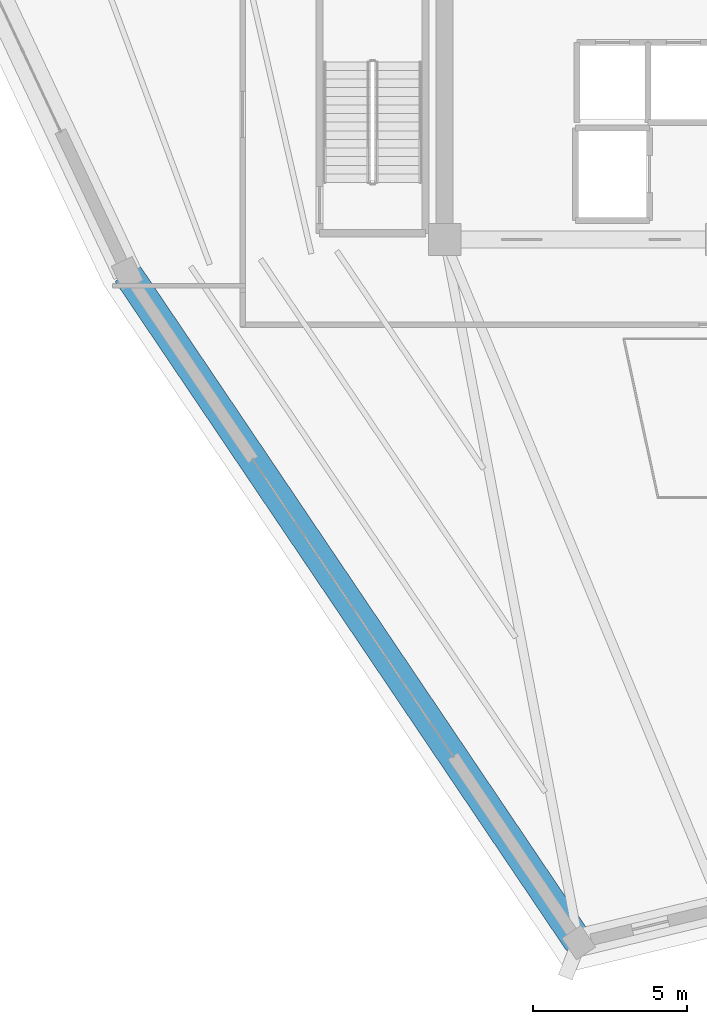
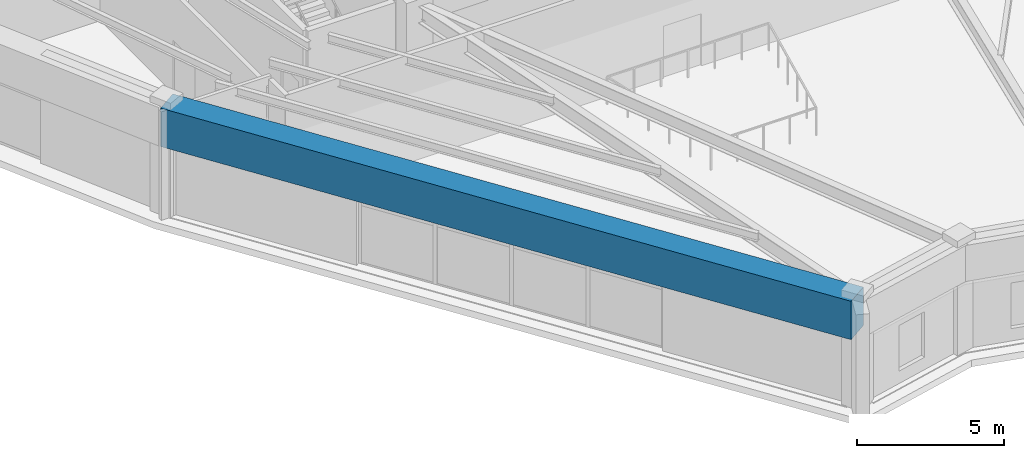
# One storey, part 5 of 40: 1 beam.
"""IFC4 building model written with IfcOpenShell, lengths in metres."""

from ifc_helpers import new_model, si_unit, direction, frame, origin, origin_2d, place, context, subcontext, project, spatial, rectangle, extrude, source, transform, mapped, material, material_profile, profile_set, type_object, element, save


model = new_model("IFC4")

# Units and contexts
model_context = context("Model", 3, precision=1e-05, world=origin(), true_north=direction((0.0, 1.0)))
body_context = subcontext(model_context, "Body", "Model", "MODEL_VIEW")
ifc_project = project(units=[si_unit("LENGTHUNIT", "METRE"), si_unit("AREAUNIT", "SQUARE_METRE"), si_unit("VOLUMEUNIT", "CUBIC_METRE"), si_unit("PLANEANGLEUNIT", "RADIAN"), si_unit("MASSUNIT", "GRAM", prefix="KILO")], contexts=[model_context])

# Site, building, storey
site_placement = place(None, origin())
site = spatial("IfcSite", under=ifc_project, at=site_placement, CompositionType="ELEMENT")
building_placement = place(site_placement, origin())
building = spatial("IfcBuilding", under=site, at=building_placement, Name="Liaohun Quay Tower", CompositionType="ELEMENT")
storey_placement = place(building_placement, frame((0.0, 0.0, 351.0)))
storey = spatial("IfcBuildingStorey", under=building, at=storey_placement, Name="L91", CompositionType="ELEMENT", Elevation=351.0)

# Beam
ifc_material = material(Name="Concrete C55", Category="concrete")
ifc_material_profile = material_profile(ifc_material, rectangle(XDim=0.949951171875, YDim=1.60009765625, at=origin_2d()), Name="RC950x1600")
ifc_profile_set = profile_set([ifc_material_profile], Name="Concrete C55")
beam_type = type_object("IfcBeamType", Name="BM-CAN-LNG", PredefinedType="SPANDREL", material=ifc_profile_set)
shared_shape = source(origin(), body_context, "Body", "SweptSolid", [
    extrude(rectangle(XDim=0.949951171875, YDim=1.60009765625, at=origin_2d()), origin(), (0.0, 0.0, 1.0), 26.20751953125),
])
beam_placement = place(storey_placement, frame((55.35400390625, 23.677978515625, 3.719970703125), z_axis=(-0.559191552836, 0.829038483568, 0.0), x_axis=(-0.829038483568, -0.559191552836, 0.0)))
element("IfcBeam", 1, at=beam_placement, inside=storey, type_object=beam_type, Name="L91 Precast Spandrel Beam PC01-PC02", PredefinedType="SPANDREL", context=body_context, shape_type="MappedRepresentation", body=[
    mapped(shared_shape, transform((0.0, 0.0, 0.0), x_axis=(1.0, 0.0, 0.0), y_axis=(0.0, 1.0, 0.0), z_axis=(0.0, 0.0, 1.0), scale=1.0)),
])

save(model, "model.ifc")
